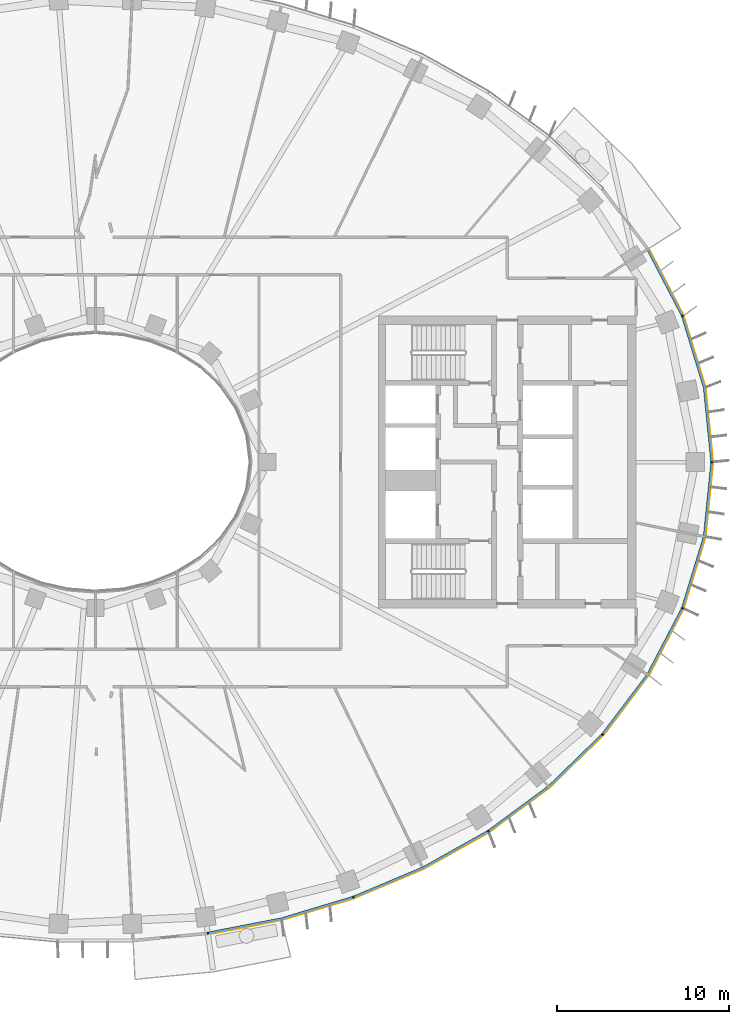
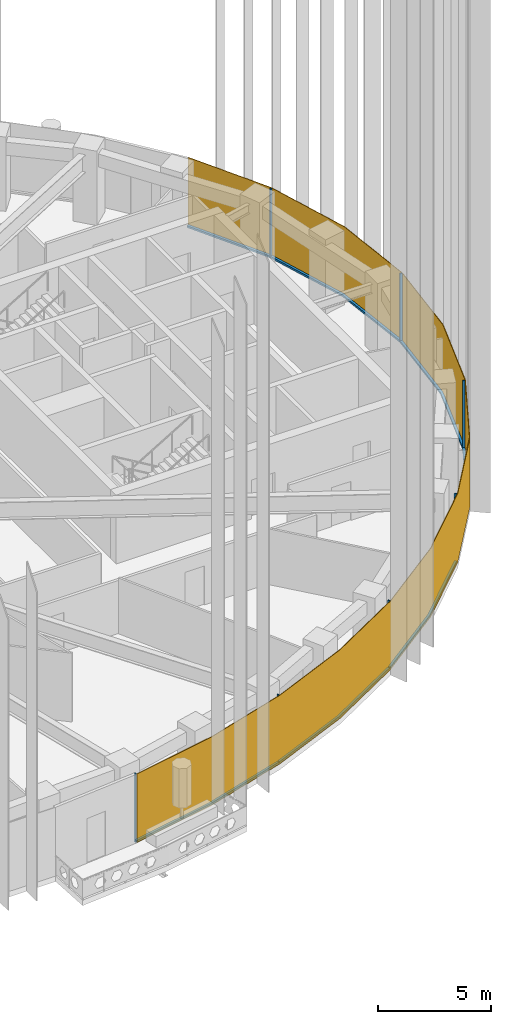
# One storey, part 10 of 19: 14 members, 1 curtain wall.
"""IFC4 building model written with IfcOpenShell, lengths in metres."""

from ifc_helpers import new_model, si_unit, direction, frame, origin, origin_2d, place, context, subcontext, project, spatial, polyline, rectangle, outline, extrude, material, layer, layer_set, material_profile, profile_set, type_object, element, aggregate, save


model = new_model("IFC4")

# Units and contexts
model_context = context("Model", 3, precision=1e-05, world=origin(), true_north=direction((0.0, 1.0)))
body_context = subcontext(model_context, "Body", "Model", "MODEL_VIEW")
ifc_project = project(units=[si_unit("LENGTHUNIT", "METRE"), si_unit("AREAUNIT", "SQUARE_METRE"), si_unit("VOLUMEUNIT", "CUBIC_METRE"), si_unit("PLANEANGLEUNIT", "RADIAN"), si_unit("MASSUNIT", "GRAM", prefix="KILO")], contexts=[model_context])

# Member
ifc_material_1 = material(Name="Aluminium 6063-T6 black anodised", Category="aluminium")
ifc_material_profile = material_profile(ifc_material_1, rectangle(XDim=0.1201171875, YDim=0.06005859375, at=origin_2d()), Name="120x60")
ifc_profile_set = profile_set([ifc_material_profile], Name="Aluminium 6063-T6 black anodised")
member_type_1 = type_object("IfcMemberType", Name="ENV-MULLION-A-120", PredefinedType="MULLION", material=ifc_profile_set)
site_placement = place(None, origin())
building_placement = place(site_placement, origin())
storey_placement = place(building_placement, frame((0.0, 0.0, 233.5)))
member_1_placement = place(storey_placement, frame((6.54638671875, -27.440185546875, 0.0), z_axis=(0.0, 0.0, 1.0), x_axis=(-0.143082012705, 0.989710835366, 0.0)))
member_1 = element("IfcMember", 1, at=member_1_placement, type_object=member_type_1, Name="Mullion A radial 37", PredefinedType="MULLION", context=body_context, shape_type="SweptSolid", body=[
    extrude(rectangle(XDim=0.1201171875, YDim=0.06005859375, at=origin_2d()), origin(), (0.0, 0.0, 1.0), 3.699951171875),
])

member_2_placement = place(storey_placement, frame((15.0341796875, -25.34375, 0.0), z_axis=(0.0, 0.0, 1.0), x_axis=(-0.338379256581, 0.941009818608, 0.0)))
member_2 = element("IfcMember", 2, at=member_2_placement, type_object=member_type_1, Name="Mullion A radial 39", PredefinedType="MULLION", context=body_context, shape_type="SweptSolid", body=[
    extrude(rectangle(XDim=0.1201171875, YDim=0.06005859375, at=origin_2d()), origin(), (0.0, 0.0, 1.0), 3.699951171875),
])

member_3_placement = place(storey_placement, frame((22.882568359375, -21.506591796875, 0.0), z_axis=(0.0, 0.0, 1.0), x_axis=(-0.542279153225, 0.840198381323, 0.0)))
member_3 = element("IfcMember", 3, at=member_3_placement, type_object=member_type_1, Name="Mullion A radial 41", PredefinedType="MULLION", context=body_context, shape_type="SweptSolid", body=[
    extrude(rectangle(XDim=0.1201171875, YDim=0.06005859375, at=origin_2d()), origin(), (0.0, 0.0, 1.0), 3.699951171875),
])

member_4_placement = place(storey_placement, frame((29.53857421875, -15.8671875, 0.0), z_axis=(0.0, 0.0, 1.0), x_axis=(-0.749047221705, 0.662516610853, 0.0)))
member_4 = element("IfcMember", 4, at=member_4_placement, type_object=member_type_1, Name="Mullion A radial 43", PredefinedType="MULLION", context=body_context, shape_type="SweptSolid", body=[
    extrude(rectangle(XDim=0.1201171875, YDim=0.06005859375, at=origin_2d()), origin(), (0.0, 0.0, 1.0), 3.699951171875),
])

member_5_placement = place(storey_placement, frame((34.19580078125, -8.513916015625, 0.0), z_axis=(0.0, 0.0, 1.0), x_axis=(-0.92546738067, 0.378827305398, 0.0)))
member_5 = element("IfcMember", 5, at=member_5_placement, type_object=member_type_1, Name="Mullion A radial 45", PredefinedType="MULLION", context=body_context, shape_type="SweptSolid", body=[
    extrude(rectangle(XDim=0.1201171875, YDim=0.06005859375, at=origin_2d()), origin(), (0.0, 0.0, 1.0), 3.699951171875),
])

member_6_placement = place(storey_placement, frame((35.907958984375, 0.0, 0.0), z_axis=(0.0, 0.0, 1.0), x_axis=(-1.0, 0.0, 0.0)))
member_6 = element("IfcMember", 6, at=member_6_placement, type_object=member_type_1, Name="Mullion A radial 01", PredefinedType="MULLION", context=body_context, shape_type="SweptSolid", body=[
    extrude(rectangle(XDim=0.1201171875, YDim=0.06005859375, at=origin_2d()), origin(), (0.0, 0.0, 1.0), 3.699951171875),
])

member_7_placement = place(storey_placement, frame((34.19580078125, 8.513916015625, 0.0), z_axis=(0.0, 0.0, 1.0), x_axis=(-0.92546738067, -0.378827305398, 0.0)))
member_7 = element("IfcMember", 7, at=member_7_placement, type_object=member_type_1, Name="Mullion A radial 03", PredefinedType="MULLION", context=body_context, shape_type="SweptSolid", body=[
    extrude(rectangle(XDim=0.1201171875, YDim=0.06005859375, at=origin_2d()), origin(), (0.0, 0.0, 1.0), 3.699951171875),
])

ifc_material_2 = material(Name="Aluminium 6063-T6 black anodised", Category="aluminium")
member_type_2 = type_object("IfcMemberType", Name="ENV-TRANSOM-A", PredefinedType="USERDEFINED", material=ifc_material_2)
member_8_placement = place(storey_placement, origin())
member_8 = element("IfcMember", 8, at=member_8_placement, type_object=member_type_2, Name="Transom A radial 37-39", ObjectType="TRANSOM", PredefinedType="USERDEFINED", context=body_context, shape_type="SweptSolid", body=[
    extrude(outline(polyline([(6.58251953125, -27.494140625), (10.857666015625, -26.6630859375), (15.027587890625, -25.408203125), (14.987060546875, -25.295166015625), (10.828857421875, -26.54638671875), (6.5654296875, -27.375244140625), (6.58251953125, -27.494140625)])), origin(), (0.0, 0.0, 1.0), 0.10009765625),
])

member_9_placement = place(storey_placement, origin())
member_9 = element("IfcMember", 9, at=member_9_placement, type_object=member_type_2, Name="Transom A radial 39-41", ObjectType="TRANSOM", PredefinedType="USERDEFINED", context=body_context, shape_type="SweptSolid", body=[
    extrude(outline(polyline([(15.080322265625, -25.389404296875), (19.093994140625, -23.701416015625), (22.890625, -21.570556640625), (22.825439453125, -21.469482421875), (19.041259765625, -23.593505859375), (15.03955078125, -25.276123046875), (15.080322265625, -25.389404296875)])), origin(), (0.0, 0.0, 1.0), 0.10009765625),
])

member_10_placement = place(storey_placement, origin())
member_10 = element("IfcMember", 10, at=member_10_placement, type_object=member_type_2, Name="Transom A radial 41-43", ObjectType="TRANSOM", PredefinedType="USERDEFINED", context=body_context, shape_type="SweptSolid", body=[
    extrude(outline(polyline([(22.937744140625, -21.540283203125), (26.4423828125, -18.958740234375), (29.5634765625, -15.926513671875), (29.473388671875, -15.8466796875), (26.364501953125, -18.866943359375), (22.87255859375, -21.439208984375), (22.937744140625, -21.540283203125)])), origin(), (0.0, 0.0, 1.0), 0.10009765625),
])

member_11_placement = place(storey_placement, origin())
member_11 = element("IfcMember", 11, at=member_11_placement, type_object=member_type_2, Name="Transom A radial 43-45", ObjectType="TRANSOM", PredefinedType="USERDEFINED", context=body_context, shape_type="SweptSolid", body=[
    extrude(outline(polyline([(29.6005859375, -15.884521484375), (32.22802734375, -12.41748046875), (34.23828125, -8.5615234375), (34.126708984375, -8.515869140625), (32.126220703125, -12.35302734375), (29.51025390625, -15.8046875), (29.6005859375, -15.884521484375)])), origin(), (0.0, 0.0, 1.0), 0.10009765625),
])

member_12_placement = place(storey_placement, origin())
member_12 = element("IfcMember", 12, at=member_12_placement, type_object=member_type_2, Name="Transom A radial 45-01", ObjectType="TRANSOM", PredefinedType="USERDEFINED", context=body_context, shape_type="SweptSolid", body=[
    extrude(outline(polyline([(34.259521484375, -8.509765625), (35.529541015625, -4.352294921875), (35.965087890625, -0.02783203125), (35.844482421875, -0.02783203125), (35.411376953125, -4.32861328125), (34.14794921875, -8.464111328125), (34.259521484375, -8.509765625)])), origin(), (0.0, 0.0, 1.0), 0.10009765625),
])

member_13_placement = place(storey_placement, origin())
member_13 = element("IfcMember", 13, at=member_13_placement, type_object=member_type_2, Name="Transom A radial 01-03", ObjectType="TRANSOM", PredefinedType="USERDEFINED", context=body_context, shape_type="SweptSolid", body=[
    extrude(outline(polyline([(35.965087890625, 0.02783203125), (35.529541015625, 4.352294921875), (34.259521484375, 8.509765625), (34.14794921875, 8.464111328125), (35.411376953125, 4.32861328125), (35.844482421875, 0.02783203125), (35.965087890625, 0.02783203125)])), origin(), (0.0, 0.0, 1.0), 0.10009765625),
])

member_14_placement = place(storey_placement, origin())
member_14 = element("IfcMember", 14, at=member_14_placement, type_object=member_type_2, Name="Transom A radial 03-04", ObjectType="TRANSOM", PredefinedType="USERDEFINED", context=body_context, shape_type="SweptSolid", body=[
    extrude(outline(polyline([(34.23828125, 8.5615234375), (32.2373046875, 12.39990234375), (32.135498046875, 12.33544921875), (34.126708984375, 8.515869140625), (34.23828125, 8.5615234375)])), origin(), (0.0, 0.0, 1.0), 0.10009765625),
])

# Site, building, storey
site = spatial("IfcSite", under=ifc_project, at=site_placement, CompositionType="ELEMENT")
building = spatial("IfcBuilding", under=site, at=building_placement, Name="Noorbagh Ring Tower", CompositionType="ELEMENT")
storey = spatial("IfcBuildingStorey", under=building, at=storey_placement, Name="L48", CompositionType="ELEMENT", Elevation=233.5)

# Curtain wall
ifc_material_3 = material(Name="Glass dark tinted laminated", Category="glass")
ifc_layer = layer(ifc_material_3, 0.031982421875)
ifc_layer_set = layer_set([ifc_layer], Name="Glass dark tinted laminated")
curtain_wall_type = type_object("IfcCurtainWallType", Name="ENV-CW-A", PredefinedType="NOTDEFINED", material=ifc_layer_set)
curtain_wall_placement = place(storey_placement, origin())
curtain_wall = element("IfcCurtainWall", 15, at=curtain_wall_placement, inside=storey, type_object=curtain_wall_type, Name="Curtain wall A R37", PredefinedType="NOTDEFINED", context=body_context, shape_type="SweptSolid", body=[
    extrude(outline(polyline([(6.579345703125, -27.52734375), (10.865234375, -26.6943359375), (15.065185546875, -25.430419921875), (19.108154296875, -23.730224609375), (22.9326171875, -21.583740234375), (26.463134765625, -18.9833984375), (29.607666015625, -15.927978515625), (32.255126953125, -12.434814453125), (34.281005859375, -8.548828125), (35.561279296875, -4.358642578125), (36.0, 0.0), (35.561279296875, 4.358642578125), (34.281005859375, 8.548828125), (32.264404296875, 12.4169921875), (32.2373046875, 12.39990234375), (34.251220703125, 8.53662109375), (35.529541015625, 4.352294921875), (35.9677734375, 0.0), (35.529541015625, -4.352294921875), (34.251220703125, -8.53662109375), (32.22802734375, -12.41748046875), (29.58349609375, -15.906982421875), (26.4423828125, -18.958740234375), (22.9150390625, -21.556884765625), (19.093994140625, -23.701416015625), (15.054443359375, -25.400146484375), (10.857666015625, -26.6630859375), (6.57470703125, -27.49560546875), (6.579345703125, -27.52734375)])), origin(), (0.0, 0.0, 1.0), 3.699951171875),
])

aggregate(curtain_wall, [member_1, member_2, member_3, member_4, member_5, member_6, member_7, member_8, member_9, member_10, member_11, member_12, member_13, member_14])

save(model, "model.ifc")
